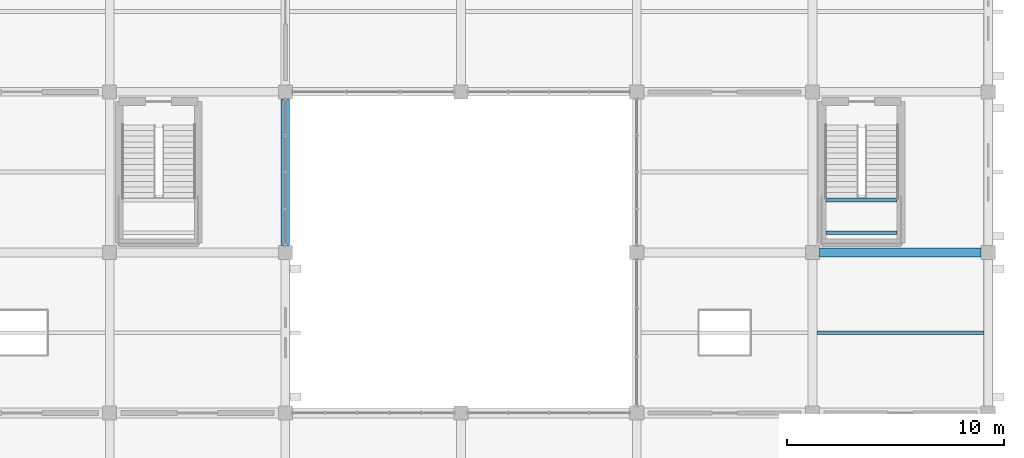
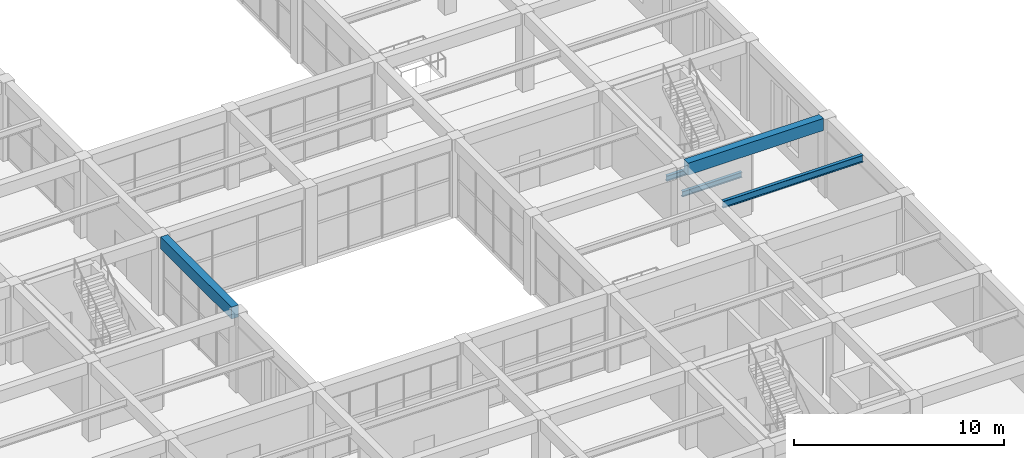
# One storey, part 112 of 161: 5 beams.
"""IFC4 building model written with IfcOpenShell, lengths in metres."""

import ifcopenshell
import ifcopenshell.guid

model = None  # the IFC model being written
_history = None  # IfcOwnerHistory: only IFC2X3 demands one
_inside = {}  # id of a spatial element -> (the spatial element, [elements in it])
_under = {}  # id of a project, library or spatial element -> (it, [spatial elements below it])
_declared = {}  # id of a project -> (the project, [libraries it declares])
_typed = {}  # id of a type object -> (the type object, [elements of that type])
_made_of = {}  # id of a material, layer set ... -> (it, [elements and type objects made of it])


def new_model(schema):
    """Start an empty IFC model of exactly this schema.

    Asked for "IFC4X3", IfcOpenShell would pick the latest addendum, in which some entities
    have other attributes; the version numbers below select the first issue.
    IFC2X3 requires an IfcOwnerHistory on every rooted entity: one is made here for all.
    """
    global model, _history
    if schema == "IFC4X3":
        model = ifcopenshell.file(schema_version=(4, 3, 0, 0))
    else:
        model = ifcopenshell.file(schema=schema)
    _inside.clear()
    _under.clear()
    _declared.clear()
    _typed.clear()
    _made_of.clear()
    _history = None
    if model.schema == "IFC2X3":
        org = make("IfcOrganization", Name="unknown")
        user = make(
            "IfcPersonAndOrganization",
            ThePerson=make("IfcPerson", FamilyName="unknown"),
            TheOrganization=org,
        )
        app = make(
            "IfcApplication",
            ApplicationDeveloper=org,
            Version="unknown",
            ApplicationFullName="unknown",
            ApplicationIdentifier="unknown",
        )
        _history = make(
            "IfcOwnerHistory",
            OwningUser=user,
            OwningApplication=app,
            ChangeAction="ADDED",
            CreationDate=0,
        )
    return model


def make(cls, **values):
    """One entity of the class cls with the attributes given. An attribute that is None is left unset."""
    return model.create_entity(
        cls, **{name: value for name, value in values.items() if value is not None}
    )


def rooted(cls, **values):
    """An entity with a GlobalId (a new one), such as an element, a storey or a relation."""
    return make(cls, GlobalId=ifcopenshell.guid.new(), OwnerHistory=_history, **values)


def si_unit(unit_type, name, prefix=None):
    """IfcSIUnit, for example si_unit("LENGTHUNIT", "METRE", prefix="MILLI")."""
    return make("IfcSIUnit", UnitType=unit_type, Prefix=prefix, Name=name)


def assignment(units):
    """IfcUnitAssignment: the units of a project."""
    return None if units is None else make("IfcUnitAssignment", Units=units)


def point(xyz):
    """IfcCartesianPoint."""
    return None if xyz is None else make("IfcCartesianPoint", Coordinates=xyz)


def direction(xyz):
    """IfcDirection."""
    return None if xyz is None else make("IfcDirection", DirectionRatios=xyz)


def frame(location, z_axis=None, x_axis=None):
    """IfcAxis2Placement3D, a coordinate frame: its origin and axes. An axis left out is left unset."""
    return make(
        "IfcAxis2Placement3D",
        Location=point(location),
        Axis=direction(z_axis),
        RefDirection=direction(x_axis),
    )


def frame_2d(location, x_axis=None):
    """IfcAxis2Placement2D, a coordinate frame in the plane: its origin and x axis."""
    return make(
        "IfcAxis2Placement2D", Location=point(location), RefDirection=direction(x_axis)
    )


def origin():
    """The frame at (0, 0, 0) with its axes left unset."""
    return frame((0.0, 0.0, 0.0))


def origin_2d():
    """The frame at (0, 0) in the plane with its x axis left unset."""
    return frame_2d((0.0, 0.0))


def place(relative_to, where):
    """IfcLocalPlacement: puts the frame where relative to a parent placement (None: the world)."""
    return make(
        "IfcLocalPlacement", PlacementRelTo=relative_to, RelativePlacement=where
    )


def context(
    kind, dimensions, precision=None, world=None, true_north=None, identifier=None
):
    """IfcGeometricRepresentationContext, for example the 3D "Model" context."""
    return make(
        "IfcGeometricRepresentationContext",
        ContextIdentifier=identifier,
        ContextType=kind,
        CoordinateSpaceDimension=dimensions,
        Precision=precision,
        WorldCoordinateSystem=world,
        TrueNorth=true_north,
    )


def subcontext(parent, identifier, kind, view, scale=None):
    """IfcGeometricRepresentationSubContext, for example "Body" below "Model"."""
    return make(
        "IfcGeometricRepresentationSubContext",
        ContextIdentifier=identifier,
        ContextType=kind,
        ParentContext=parent,
        TargetScale=scale,
        TargetView=view,
    )


def project(units=None, contexts=None):
    """IfcProject with its units and contexts."""
    return rooted(
        "IfcProject",
        Name="project",
        RepresentationContexts=contexts,
        UnitsInContext=assignment(units),
    )


def spatial(cls, under=None, at=None, **own):
    """A site, building, storey or space (cls), placed at a placement, below another one or the project."""
    s = rooted(cls, ObjectPlacement=at, **own)
    if under is not None:
        _under.setdefault(under.id(), (under, []))[1].append(s)
    return s


def profile(cls, at=None, kind="AREA", **sizes):
    """A parametric profile (cls). Its sizes go by their IFC names, for example OverallWidth=200.0."""
    return make(cls, ProfileType=kind, Position=at, **sizes)


def rectangle(**sizes):
    """IfcRectangleProfileDef."""
    return profile("IfcRectangleProfileDef", **sizes)


def i_section(**sizes):
    """IfcIShapeProfileDef."""
    return profile("IfcIShapeProfileDef", **sizes)


def extrude(swept, where, along, depth):
    """IfcExtrudedAreaSolid: the profile swept, set in the frame where, extruded along a direction by depth."""
    return make(
        "IfcExtrudedAreaSolid",
        SweptArea=swept,
        Position=where,
        ExtrudedDirection=direction(along),
        Depth=depth,
    )


def shape(context_of_items, identifier, shape_type, items):
    """IfcShapeRepresentation: the items that make up one representation, for example the "Body"."""
    return make(
        "IfcShapeRepresentation",
        ContextOfItems=context_of_items,
        RepresentationIdentifier=identifier,
        RepresentationType=shape_type,
        Items=items,
    )


def material(Name=None, Category=None):
    """IfcMaterial."""
    return make("IfcMaterial", Name=Name, Category=Category)


def material_profile(
    of_material, cross_section, Name=None, Category=None, Priority=None
):
    """IfcMaterialProfile: a cross section and its material."""
    return make(
        "IfcMaterialProfile",
        Name=Name,
        Material=of_material,
        Profile=cross_section,
        Priority=Priority,
        Category=Category,
    )


def profile_set(profiles, Name=None, composite=None):
    """IfcMaterialProfileSet."""
    return make(
        "IfcMaterialProfileSet",
        Name=Name,
        MaterialProfiles=profiles,
        CompositeProfile=composite,
    )


def made_of(thing, what):
    """Note that an element or type object is made of a material, layer set ...; save() writes the relation."""
    if what is not None:
        _made_of.setdefault(what.id(), (what, []))[1].append(thing)
    return thing


def type_object(cls, material=None, **own):
    """A type object (cls), such as IfcWallType, which elements share."""
    return made_of(rooted(cls, **own), material)


def element(
    cls,
    number,
    at=None,
    inside=None,
    cuts=None,
    type_object=None,
    material=None,
    context=None,
    identifier="Body",
    shape_type=None,
    held_by="IfcProductDefinitionShape",
    body=None,
    shapes=None,
    **own,
):
    """One element of the class cls, such as IfcWall. Its Tag is "e" and its number.

    at: its placement. inside: the storey or other place that contains it. cuts: it is an
    opening in that element (IfcRelVoidsElement). A single representation is given by context,
    identifier, shape_type and body (its items); several are given by shapes. held_by: the class
    of the entity that holds the representations. save() writes the other relations.
    """
    e = rooted(cls, Tag="e%d" % number, ObjectPlacement=at, **own)
    if body is not None:
        shapes = [shape(context, identifier, shape_type, body)]
    if shapes is not None:
        e.Representation = make(held_by, Representations=shapes)
    if inside is not None:
        _inside.setdefault(inside.id(), (inside, []))[1].append(e)
    if cuts is not None:
        rooted(
            "IfcRelVoidsElement", RelatingBuildingElement=cuts, RelatedOpeningElement=e
        )
    if type_object is not None:
        _typed.setdefault(type_object.id(), (type_object, []))[1].append(e)
    return made_of(e, material)


def aggregate(whole, parts):
    """IfcRelAggregates: a whole, such as a stair, and the parts it consists of."""
    return rooted("IfcRelAggregates", RelatingObject=whole, RelatedObjects=parts)


def save(model, path):
    """Write the relations noted so far, then the file.

    IfcRelAggregates (storeys below a building ...), IfcRelContainedInSpatialStructure (elements
    in a storey), IfcRelDefinesByType, IfcRelAssociatesMaterial and IfcRelDeclares: one each for
    every whole, place, type object, material and project.
    """
    for whole, parts in _under.values():
        aggregate(whole, parts)
    for where, things in _inside.values():
        rooted(
            "IfcRelContainedInSpatialStructure",
            RelatedElements=things,
            RelatingStructure=where,
        )
    for kind, things in _typed.values():
        rooted("IfcRelDefinesByType", RelatedObjects=things, RelatingType=kind)
    for what, things in _made_of.values():
        rooted("IfcRelAssociatesMaterial", RelatedObjects=things, RelatingMaterial=what)
    for by, libraries in _declared.values():
        rooted("IfcRelDeclares", RelatingContext=by, RelatedDefinitions=libraries)
    model.write(path)


model = new_model("IFC4")

# Units and contexts
model_context = context("Model", 3, precision=1e-05, world=origin(), true_north=direction((0.0, 1.0)))
body_context = subcontext(model_context, "Body", "Model", "MODEL_VIEW")
ifc_project = project(units=[si_unit("LENGTHUNIT", "METRE"), si_unit("AREAUNIT", "SQUARE_METRE"), si_unit("VOLUMEUNIT", "CUBIC_METRE"), si_unit("PLANEANGLEUNIT", "RADIAN"), si_unit("MASSUNIT", "GRAM", prefix="KILO")], contexts=[model_context])

# Site, building, storey
site_placement = place(None, origin())
site = spatial("IfcSite", under=ifc_project, at=site_placement, CompositionType="ELEMENT")
building_placement = place(site_placement, origin())
building = spatial("IfcBuilding", under=site, at=building_placement, Name="Cimatlan Art Gallery", CompositionType="ELEMENT")
storey_placement = place(building_placement, frame((0.0, 0.0, 5.39990234375)))
storey = spatial("IfcBuildingStorey", under=building, at=storey_placement, Name="L01", CompositionType="ELEMENT", Elevation=5.39990234375)

# Beams
ifc_material_1 = material(Name="Concrete C40/50", Category="concrete")
ifc_material_profile_1 = material_profile(ifc_material_1, rectangle(XDim=0.39990234375, YDim=0.699951171875, at=origin_2d()), Name="RC400X700")
ifc_profile_set_1 = profile_set([ifc_material_profile_1], Name="Concrete C40/50")
beam_type_1 = type_object("IfcBeamType", Name="BM-RC-400X700", PredefinedType="BEAM", material=ifc_profile_set_1)
beam_1_placement = place(storey_placement, frame((131.60009765625, 46.425048828125, 4.210205078125), z_axis=(0.0, 1.0, 0.0), x_axis=(-1.0, 0.0, 0.0)))
element("IfcBeam", 1, at=beam_1_placement, inside=storey, type_object=beam_type_1, Name="BM-Y-L01-16-06", PredefinedType="BEAM", context=body_context, shape_type="SweptSolid", body=[
    extrude(rectangle(XDim=0.39990234375, YDim=0.699951171875, at=origin_2d()), origin(), (0.0, 0.0, 1.0), 6.75),
])
beam_2_placement = place(storey_placement, frame((156.22509765625, 46.10009765625, 4.210205078125), z_axis=(1.0, 0.0, 0.0), x_axis=(0.0, 1.0, 0.0)))
element("IfcBeam", 2, at=beam_2_placement, inside=storey, type_object=beam_type_1, Name="BM-X-L01-19-06", PredefinedType="BEAM", context=body_context, shape_type="SweptSolid", body=[
    extrude(rectangle(XDim=0.39990234375, YDim=0.699951171875, at=origin_2d()), origin(), (0.0, 0.0, 1.0), 7.449951171875),
])
ifc_material_2 = material(Name="Steel ASTM A992 Grade 50", Category="steel")
ifc_material_profile_2 = material_profile(ifc_material_2, i_section(OverallWidth=0.1650390625, OverallDepth=0.31005859375, WebThickness=0.005859375, FlangeThickness=0.009765625, at=origin_2d()), Name="W12X26")
ifc_profile_set_2 = profile_set([ifc_material_profile_2], Name="Steel ASTM A992 Grade 50")
beam_type_2 = type_object("IfcBeamType", Name="BM-STL-W12X26", PredefinedType="JOIST", material=ifc_profile_set_2)
for number, where, z_axis, x_axis, name in (
    (3, (156.514892578125, 47.0, 2.025146484375), (1.0, 0.0, 0.0), (0.0, 1.0, 0.0), "BM-STR-C10-L01-LH1"),
    (4, (156.514892578125, 48.5, 2.025146484375), (1.0, 0.0, 0.0), (0.0, 1.0, 0.0), "BM-STR-C10-L01-LH2"),
):
    element("IfcBeam", number, at=place(storey_placement, frame(where, z_axis=z_axis, x_axis=x_axis)), inside=storey, type_object=beam_type_2, Name=name, PredefinedType="JOIST", context=body_context, shape_type="SweptSolid", body=[
        extrude(i_section(OverallWidth=0.1650390625, OverallDepth=0.31005859375, WebThickness=0.005859375, FlangeThickness=0.009765625, at=origin_2d()), origin(), (0.0, 0.0, 1.0), 3.2900390625),
    ])
ifc_material_profile_3 = material_profile(ifc_material_2, i_section(OverallWidth=0.177978515625, OverallDepth=0.406982421875, WebThickness=0.0078125, FlangeThickness=0.0126953125, at=origin_2d()), Name="W16X40")
ifc_profile_set_3 = profile_set([ifc_material_profile_3], Name="Steel ASTM A992 Grade 50")
beam_type_3 = type_object("IfcBeamType", Name="BM-STL-W16X40", PredefinedType="JOIST", material=ifc_profile_set_3)
beam_3_placement = place(storey_placement, frame((156.10009765625, 42.39990234375, 4.356689453125), z_axis=(1.0, 0.0, 0.0), x_axis=(0.0, 1.0, 0.0)))
element("IfcBeam", 5, at=beam_3_placement, inside=storey, type_object=beam_type_3, Name="JST-L01-19-05", PredefinedType="JOIST", context=body_context, shape_type="SweptSolid", body=[
    extrude(i_section(OverallWidth=0.177978515625, OverallDepth=0.406982421875, WebThickness=0.0078125, FlangeThickness=0.0126953125, at=origin_2d()), origin(), (0.0, 0.0, 1.0), 7.699951171875),
])

save(model, "model.ifc")
